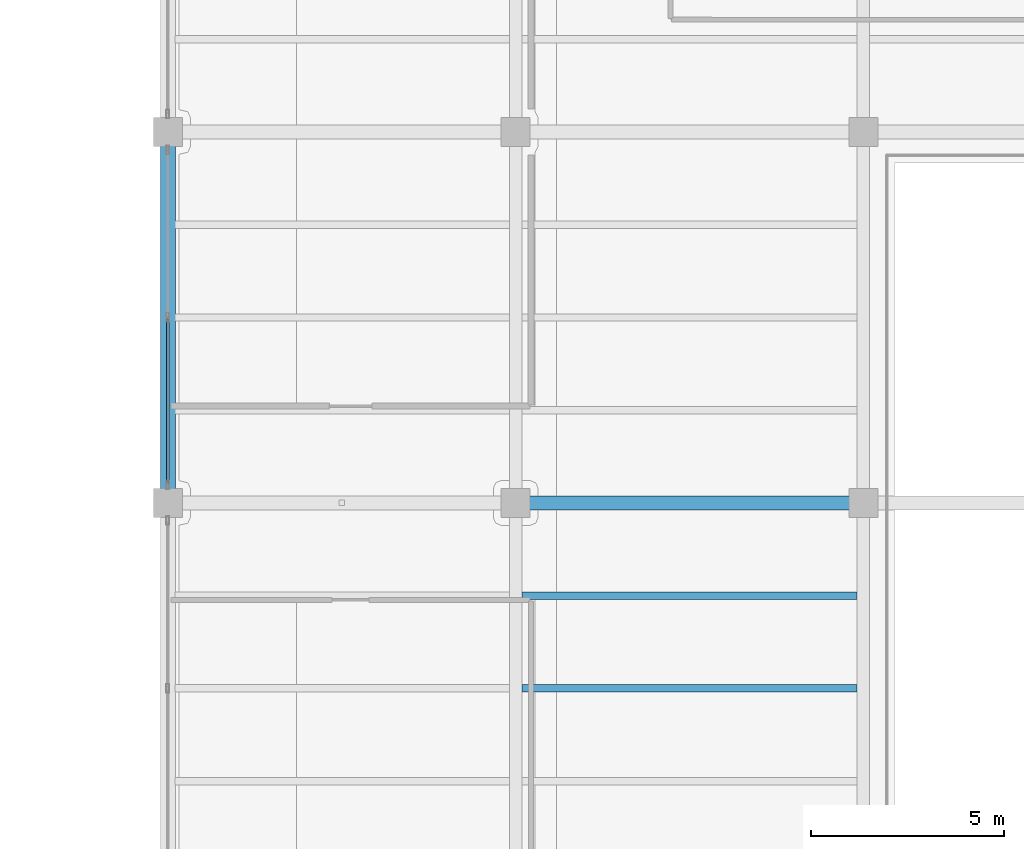
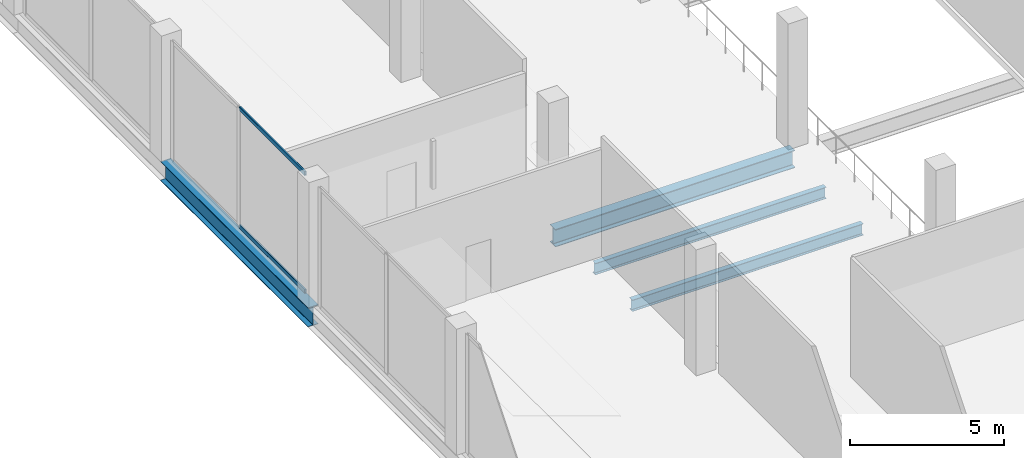
# One storey, part 8 of 47: 4 beams, 2 members, 1 element without a shape of its own.
"""IFC4 building model written with IfcOpenShell, lengths in metres."""

from ifc_helpers import new_model, si_unit, direction, frame, origin, origin_2d, place, context, subcontext, project, spatial, hollow_rectangle, i_section, extrude, material, layer, layer_set, material_profile, profile_set, type_object, element, aggregate, save


model = new_model("IFC4")

# Units and contexts
model_context = context("Model", 3, precision=1e-05, world=origin(), true_north=direction((0.0, 1.0)))
body_context = subcontext(model_context, "Body", "Model", "MODEL_VIEW")
ifc_project = project(units=[si_unit("LENGTHUNIT", "METRE"), si_unit("AREAUNIT", "SQUARE_METRE"), si_unit("VOLUMEUNIT", "CUBIC_METRE"), si_unit("PLANEANGLEUNIT", "RADIAN"), si_unit("MASSUNIT", "GRAM", prefix="KILO")], contexts=[model_context])

# Site, building, storey
site_placement = place(None, origin())
site = spatial("IfcSite", under=ifc_project, at=site_placement, CompositionType="ELEMENT")
building_placement = place(site_placement, origin())
building = spatial("IfcBuilding", under=site, at=building_placement, Name="Qorvath Tower", CompositionType="ELEMENT")
storey_placement = place(building_placement, frame((0.0, 0.0, 12.0)))
storey = spatial("IfcBuildingStorey", under=building, at=storey_placement, Name="L02", CompositionType="ELEMENT", Elevation=12.0)

# Beams
ifc_material_1 = material(Name="Steel ASTM A992 Grade 50", Category="steel")
ifc_material_profile_1 = material_profile(ifc_material_1, i_section(OverallWidth=0.381103515625, OverallDepth=0.77294921875, WebThickness=0.0166015625, FlangeThickness=0.027099609375, FilletRadius=0.01904296875, at=origin_2d()), Name="W30x173")
ifc_profile_set_1 = profile_set([ifc_material_profile_1], Name="Steel ASTM A992 Grade 50")
beam_type_1 = type_object("IfcBeamType", Name="BM-FG3", PredefinedType="BEAM", material=ifc_profile_set_1)
beam_1_placement = place(storey_placement, frame((32.39990234375, 0.0, -0.646484375), z_axis=(0.0, 1.0, 0.0), x_axis=(-1.0, 0.0, 0.0)))
element("IfcBeam", 1, at=beam_1_placement, inside=storey, type_object=beam_type_1, Name="Library N-S Girder L02-1-5", PredefinedType="BEAM", context=body_context, shape_type="SweptSolid", body=[
    extrude(i_section(OverallWidth=0.381103515625, OverallDepth=0.77294921875, WebThickness=0.0166015625, FlangeThickness=0.027099609375, FilletRadius=0.01904296875, at=origin_2d()), origin(), (0.0, 0.0, 1.0), 9.60009765625),
])
ifc_material_2 = material(Name="Steel ASTM A992 Grade 50", Category="steel")
ifc_material_profile_2 = material_profile(ifc_material_2, i_section(OverallWidth=0.35595703125, OverallDepth=0.696044921875, WebThickness=0.015380859375, FlangeThickness=0.02490234375, FilletRadius=0.01806640625, at=origin_2d()), Name="W27x146")
ifc_profile_set_2 = profile_set([ifc_material_profile_2], Name="Steel ASTM A992 Grade 50")
beam_type_2 = type_object("IfcBeamType", Name="BM-FG4", PredefinedType="BEAM", material=ifc_profile_set_2)
beam_2_placement = place(storey_placement, frame((41.39990234375, 0.0, -0.60791015625), z_axis=(1.0, 0.0, 0.0), x_axis=(0.0, 1.0, 0.0)))
element("IfcBeam", 2, at=beam_2_placement, inside=storey, type_object=beam_type_2, Name="Library E-W Girder L02-5-2", PredefinedType="BEAM", context=body_context, shape_type="SweptSolid", body=[
    extrude(i_section(OverallWidth=0.35595703125, OverallDepth=0.696044921875, WebThickness=0.015380859375, FlangeThickness=0.02490234375, FilletRadius=0.01806640625, at=origin_2d()), origin(), (0.0, 0.0, 1.0), 9.0),
])
ifc_material_3 = material(Name="Steel ASTM A992 Grade 50", Category="steel")
ifc_material_profile_3 = material_profile(ifc_material_3, i_section(OverallWidth=0.18994140625, OverallDepth=0.45703125, WebThickness=0.009033203125, FlangeThickness=0.014404296875, FilletRadius=0.011962890625, at=origin_2d()), Name="W18x50")
ifc_profile_set_3 = profile_set([ifc_material_profile_3], Name="Steel ASTM A992 Grade 50")
beam_type_3 = type_object("IfcBeamType", Name="BM-FJ2", PredefinedType="JOIST", material=ifc_profile_set_3)
for number, where, z_axis, x_axis, name in (
    (3, (41.560546875, -4.800048828125, -0.488525390625), (1.0, 0.0, 0.0), (0.0, 1.0, 0.0), "Library Stack Joist L02-4.2-2"),
    (4, (41.560546875, -2.39990234375, -0.488525390625), (1.0, 0.0, 0.0), (0.0, 1.0, 0.0), "Library Stack Joist L02-4.3-2"),
):
    element("IfcBeam", number, at=place(storey_placement, frame(where, z_axis=z_axis, x_axis=x_axis)), inside=storey, type_object=beam_type_3, Name=name, PredefinedType="JOIST", context=body_context, shape_type="SweptSolid", body=[
        extrude(i_section(OverallWidth=0.18994140625, OverallDepth=0.45703125, WebThickness=0.009033203125, FlangeThickness=0.014404296875, FilletRadius=0.011962890625, at=origin_2d()), origin(), (0.0, 0.0, 1.0), 8.678955078125),
    ])

# Curtain wall, members
ifc_material_4 = material(Name="Anodised aluminium and triple low-E glass", Category="aluminium")
ifc_layer = layer(ifc_material_4, 0.179931640625)
ifc_layer_set = layer_set([ifc_layer], Name="CW-SYS-6")
curtain_wall_type = type_object("IfcCurtainWallType", Name="CW-SYS-6", PredefinedType="NOTDEFINED", material=ifc_layer_set)
curtain_wall_placement = place(storey_placement, origin())
curtain_wall = element("IfcCurtainWall", 5, at=curtain_wall_placement, inside=storey, type_object=curtain_wall_type, Name="Curtain Wall CW-6 CW-LIB-W-L02-5", PredefinedType="NOTDEFINED")
ifc_material_5 = material(Name="Anodised aluminium 6063-T6", Category="aluminium")
ifc_material_profile_4 = material_profile(ifc_material_5, hollow_rectangle(XDim=0.06494140625, YDim=0.159912109375, WallThickness=0.00341796875, InnerFilletRadius=0.00341796875, OuterFilletRadius=0.007080078125, at=origin_2d()), Name="CWT 160x65")
ifc_profile_set_4 = profile_set([ifc_material_profile_4], Name="Anodised aluminium 6063-T6")
member_type = type_object("IfcMemberType", Name="CWT-160", PredefinedType="USERDEFINED", material=ifc_profile_set_4)
member_1_placement = place(storey_placement, frame((32.39990234375, 0.5, 0.032470703125), z_axis=(0.0, 1.0, 0.0), x_axis=(-1.0, 0.0, 0.0)))
member_1 = element("IfcMember", 6, at=member_1_placement, type_object=member_type, Name="CW-6 transom 1.1", ObjectType="TRANSOM", PredefinedType="USERDEFINED", context=body_context, shape_type="SweptSolid", body=[
    extrude(hollow_rectangle(XDim=0.06494140625, YDim=0.159912109375, WallThickness=0.00341796875, InnerFilletRadius=0.00341796875, OuterFilletRadius=0.007080078125, at=origin_2d()), origin(), (0.0, 0.0, 1.0), 4.260009765625),
])
member_2_placement = place(storey_placement, frame((32.39990234375, 0.5, 4.70751953125), z_axis=(0.0, 1.0, 0.0), x_axis=(-1.0, 0.0, 0.0)))
member_2 = element("IfcMember", 7, at=member_2_placement, type_object=member_type, Name="CW-6 transom 1.2", ObjectType="TRANSOM", PredefinedType="USERDEFINED", context=body_context, shape_type="SweptSolid", body=[
    extrude(hollow_rectangle(XDim=0.06494140625, YDim=0.159912109375, WallThickness=0.00341796875, InnerFilletRadius=0.00341796875, OuterFilletRadius=0.007080078125, at=origin_2d()), origin(), (0.0, 0.0, 1.0), 4.260009765625),
])
aggregate(curtain_wall, [member_1, member_2])

save(model, "model.ifc")
